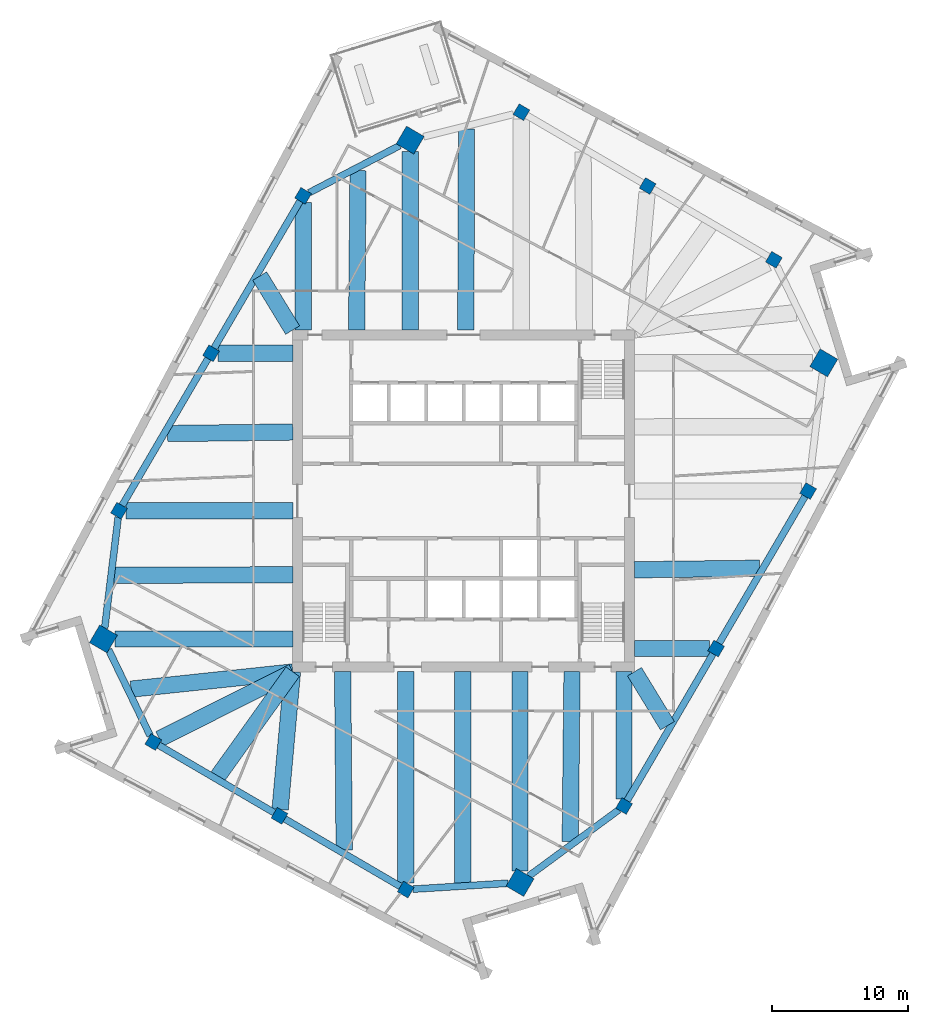
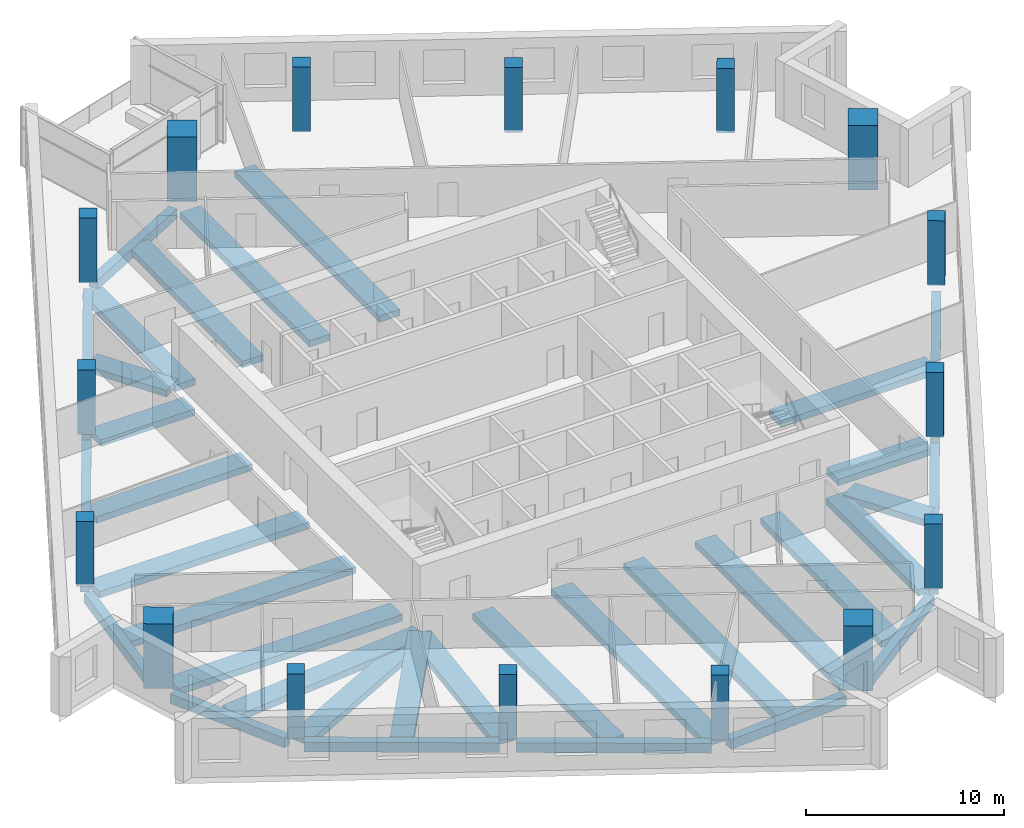
# One storey, part 1 of 13: 34 beams, 16 columns.
"""IFC4 building model written with IfcOpenShell, lengths in metres."""

from ifc_helpers import new_model, si_unit, direction, frame, origin, origin_2d, place, context, subcontext, project, spatial, rectangle, extrude, material, material_profile, profile_set, type_object, element, save


model = new_model("IFC4")

# Units and contexts
model_context = context("Model", 3, precision=1e-05, world=origin(), true_north=direction((0.0, 1.0)))
body_context = subcontext(model_context, "Body", "Model", "MODEL_VIEW")
ifc_project = project(units=[si_unit("LENGTHUNIT", "METRE"), si_unit("AREAUNIT", "SQUARE_METRE"), si_unit("VOLUMEUNIT", "CUBIC_METRE"), si_unit("PLANEANGLEUNIT", "RADIAN"), si_unit("MASSUNIT", "GRAM", prefix="KILO")], contexts=[model_context])

# Site, building, storey
site_placement = place(None, origin())
site = spatial("IfcSite", under=ifc_project, at=site_placement, CompositionType="ELEMENT")
building_placement = place(site_placement, origin())
building = spatial("IfcBuilding", under=site, at=building_placement, Name="Dilmun Exchange Tower", CompositionType="ELEMENT")
storey_placement = place(building_placement, frame((0.0, 0.0, 278.89990234375)))
storey = spatial("IfcBuildingStorey", under=building, at=storey_placement, Name="L66", CompositionType="ELEMENT", Elevation=278.89990234375)

# Columns
ifc_material_1 = material(Name="Concrete C50/60", Category="concrete")
ifc_material_profile_1 = material_profile(ifc_material_1, rectangle(XDim=1.5, YDim=1.5, at=origin_2d()), Name="1500 x 1500")
ifc_profile_set_1 = profile_set([ifc_material_profile_1], Name="Concrete C50/60")
column_type_1 = type_object("IfcColumnType", Name="RC mega column 1500 x 1500 C50/60", PredefinedType="COLUMN", material=ifc_profile_set_1)
for number, where, z_axis, x_axis, name in (
    (1, (-3.9150390625, 26.45703125, 0.0), (0.0, 0.0, 1.0), (0.504643651291, 0.863327739165, 0.0), "Mega column M1"),
    (2, (-26.4150390625, -10.1220703125, 0.0), (0.0, 0.0, 1.0), (0.504643651291, 0.863327739165, 0.0), "Mega column M2"),
    (3, (4.14111328125, -27.98291015625, 0.0), (0.0, 0.0, 1.0), (0.504643651291, 0.863327739165, 0.0), "Mega column M3"),
    (4, (26.4150390625, 10.1220703125, 0.0), (0.0, 0.0, 1.0), (0.504643651291, 0.863327739165, 0.0), "Mega column M4"),
):
    element("IfcColumn", number, at=place(storey_placement, frame(where, z_axis=z_axis, x_axis=x_axis)), inside=storey, type_object=column_type_1, Name=name, PredefinedType="COLUMN", context=body_context, shape_type="SweptSolid", body=[
        extrude(rectangle(XDim=1.5, YDim=1.5, at=origin_2d()), origin(), (0.0, 0.0, 1.0), 4.0),
    ])
ifc_material_profile_2 = material_profile(ifc_material_1, rectangle(XDim=0.89990234375, YDim=0.89990234375, at=origin_2d()), Name="900 x 900")
ifc_profile_set_2 = profile_set([ifc_material_profile_2], Name="Concrete C50/60")
column_type_2 = type_object("IfcColumnType", Name="RC ring column 900 x 900 C50/60", PredefinedType="COLUMN", material=ifc_profile_set_2)
for number, where, z_axis, x_axis, name in (
    (5, (-11.76904296875, 22.3720703125, 0.0), (0.0, 0.0, 1.0), (0.504643651291, 0.863327739165, 0.0), "Ring column R01"),
    (6, (-18.51806640625, 10.824951171875, 0.0), (0.0, 0.0, 1.0), (0.504643651291, 0.863327739165, 0.0), "Ring column R02"),
    (7, (-25.26806640625, -0.721923828125, 0.0), (0.0, 0.0, 1.0), (0.504643651291, 0.863327739165, 0.0), "Ring column R03"),
    (8, (-22.758056640625, -17.681884765625, 0.0), (0.0, 0.0, 1.0), (0.504643651291, 0.863327739165, 0.0), "Ring column R04"),
    (9, (-13.4990234375, -23.093994140625, 0.0), (0.0, 0.0, 1.0), (0.504643651291, 0.863327739165, 0.0), "Ring column R05"),
    (10, (-4.239990234375, -28.506103515625, 0.0), (0.0, 0.0, 1.0), (0.504643651291, 0.863327739165, 0.0), "Ring column R06"),
    (11, (11.76904296875, -22.3720703125, 0.0), (0.0, 0.0, 1.0), (0.504643651291, 0.863327739165, 0.0), "Ring column R07"),
    (12, (18.51806640625, -10.824951171875, 0.0), (0.0, 0.0, 1.0), (0.504643651291, 0.863327739165, 0.0), "Ring column R08"),
    (13, (25.26806640625, 0.721923828125, 0.0), (0.0, 0.0, 1.0), (0.504643651291, 0.863327739165, 0.0), "Ring column R09"),
    (14, (22.758056640625, 17.681884765625, 0.0), (0.0, 0.0, 1.0), (0.504643651291, 0.863327739165, 0.0), "Ring column R10"),
    (15, (13.4990234375, 23.093994140625, 0.0), (0.0, 0.0, 1.0), (0.504643651291, 0.863327739165, 0.0), "Ring column R11"),
    (16, (4.239990234375, 28.506103515625, 0.0), (0.0, 0.0, 1.0), (0.504643651291, 0.863327739165, 0.0), "Ring column R12"),
):
    element("IfcColumn", number, at=place(storey_placement, frame(where, z_axis=z_axis, x_axis=x_axis)), inside=storey, type_object=column_type_2, Name=name, PredefinedType="COLUMN", context=body_context, shape_type="SweptSolid", body=[
        extrude(rectangle(XDim=0.89990234375, YDim=0.89990234375, at=origin_2d()), origin(), (0.0, 0.0, 1.0), 4.0),
    ])

# Beams
ifc_material_2 = material(Name="Concrete C40/50", Category="concrete")
ifc_material_profile_3 = material_profile(ifc_material_2, rectangle(XDim=1.199951171875, YDim=0.39990234375, at=origin_2d()), Name="1200 x 400")
ifc_profile_set_3 = profile_set([ifc_material_profile_3], Name="Concrete C40/50")
beam_type_1 = type_object("IfcBeamType", Name="RC band beam 1200 x 400 C40/50", PredefinedType="BEAM", material=ifc_profile_set_3)
beam_1_placement = place(storey_placement, frame((-3.9150390625, 25.615234375, -0.659912109375), z_axis=(0.0, -1.0, 0.0), x_axis=(1.0, 0.0, 0.0)))
element("IfcBeam", 17, at=beam_1_placement, inside=storey, type_object=beam_type_1, Name="Band beam 1", PredefinedType="BEAM", context=body_context, shape_type="SweptSolid", body=[
    extrude(rectangle(XDim=1.199951171875, YDim=0.39990234375, at=origin_2d()), origin(), (0.0, 0.0, 1.0), 13.09228515625),
])
beam_2_placement = place(storey_placement, frame((-11.76904296875, 21.877685546875, -0.659912109375), z_axis=(0.0, -1.0, 0.0), x_axis=(1.0, 0.0, 0.0)))
element("IfcBeam", 18, at=beam_2_placement, inside=storey, type_object=beam_type_1, Name="Band beam 2", PredefinedType="BEAM", context=body_context, shape_type="SweptSolid", body=[
    extrude(rectangle(XDim=1.199951171875, YDim=0.39990234375, at=origin_2d()), origin(), (0.0, 0.0, 1.0), 9.354736328125),
])
beam_3_placement = place(storey_placement, frame((-18.023681640625, 10.824951171875, -0.659912109375), z_axis=(1.0, 0.0, 0.0), x_axis=(0.0, 1.0, 0.0)))
element("IfcBeam", 19, at=beam_3_placement, inside=storey, type_object=beam_type_1, Name="Band beam 3", PredefinedType="BEAM", context=body_context, shape_type="SweptSolid", body=[
    extrude(rectangle(XDim=1.199951171875, YDim=0.39990234375, at=origin_2d()), origin(), (0.0, 0.0, 1.0), 5.500732421875),
])
beam_4_placement = place(storey_placement, frame((-24.773681640625, -0.721923828125, -0.659912109375), z_axis=(1.0, 0.0, 0.0), x_axis=(0.0, 1.0, 0.0)))
element("IfcBeam", 20, at=beam_4_placement, inside=storey, type_object=beam_type_1, Name="Band beam 4", PredefinedType="BEAM", context=body_context, shape_type="SweptSolid", body=[
    extrude(rectangle(XDim=1.199951171875, YDim=0.39990234375, at=origin_2d()), origin(), (0.0, 0.0, 1.0), 12.250732421875),
])
beam_5_placement = place(storey_placement, frame((-25.5732421875, -10.1220703125, -0.659912109375), z_axis=(1.0, 0.0, 0.0), x_axis=(0.0, 1.0, 0.0)))
element("IfcBeam", 21, at=beam_5_placement, inside=storey, type_object=beam_type_1, Name="Band beam 5", PredefinedType="BEAM", context=body_context, shape_type="SweptSolid", body=[
    extrude(rectangle(XDim=1.199951171875, YDim=0.39990234375, at=origin_2d()), origin(), (0.0, 0.0, 1.0), 13.05029296875),
])
beam_6_placement = place(storey_placement, frame((-22.302734375, -17.453125, -0.659912109375), z_axis=(0.893443377394, 0.449175835716, 0.0), x_axis=(-0.449175835716, 0.893443377394, 0.0)))
element("IfcBeam", 22, at=beam_6_placement, inside=storey, type_object=beam_type_1, Name="Band beam 6", PredefinedType="BEAM", context=body_context, shape_type="SweptSolid", body=[
    extrude(rectangle(XDim=1.199951171875, YDim=0.39990234375, at=origin_2d()), origin(), (0.0, 0.0, 1.0), 10.94287109375),
])
beam_7_placement = place(storey_placement, frame((-13.456787109375, -22.625732421875, -0.659912109375), z_axis=(0.089632924375, 0.995974868593, 0.0), x_axis=(-0.995974868593, 0.089632924375, 0.0)))
element("IfcBeam", 23, at=beam_7_placement, inside=storey, type_object=beam_type_1, Name="Band beam 7", PredefinedType="BEAM", context=body_context, shape_type="SweptSolid", body=[
    extrude(rectangle(XDim=1.199951171875, YDim=0.39990234375, at=origin_2d()), origin(), (0.0, 0.0, 1.0), 10.143310546875),
])
beam_8_placement = place(storey_placement, frame((-4.239990234375, -28.01171875, -0.659912109375), z_axis=(0.0, 1.0, 0.0), x_axis=(-1.0, 0.0, 0.0)))
element("IfcBeam", 24, at=beam_8_placement, inside=storey, type_object=beam_type_1, Name="Band beam 8", PredefinedType="BEAM", context=body_context, shape_type="SweptSolid", body=[
    extrude(rectangle(XDim=1.199951171875, YDim=0.39990234375, at=origin_2d()), origin(), (0.0, 0.0, 1.0), 15.48876953125),
])
beam_9_placement = place(storey_placement, frame((4.14111328125, -27.141357421875, -0.659912109375), z_axis=(0.0, 1.0, 0.0), x_axis=(-1.0, 0.0, 0.0)))
element("IfcBeam", 25, at=beam_9_placement, inside=storey, type_object=beam_type_1, Name="Band beam 9", PredefinedType="BEAM", context=body_context, shape_type="SweptSolid", body=[
    extrude(rectangle(XDim=1.199951171875, YDim=0.39990234375, at=origin_2d()), origin(), (0.0, 0.0, 1.0), 14.618408203125),
])
beam_10_placement = place(storey_placement, frame((11.76904296875, -21.877685546875, -0.659912109375), z_axis=(0.0, 1.0, 0.0), x_axis=(-1.0, 0.0, 0.0)))
element("IfcBeam", 26, at=beam_10_placement, inside=storey, type_object=beam_type_1, Name="Band beam 10", PredefinedType="BEAM", context=body_context, shape_type="SweptSolid", body=[
    extrude(rectangle(XDim=1.199951171875, YDim=0.39990234375, at=origin_2d()), origin(), (0.0, 0.0, 1.0), 9.354736328125),
])
beam_11_placement = place(storey_placement, frame((18.023681640625, -10.824951171875, -0.659912109375), z_axis=(-1.0, 0.0, 0.0), x_axis=(0.0, -1.0, 0.0)))
element("IfcBeam", 27, at=beam_11_placement, inside=storey, type_object=beam_type_1, Name="Band beam 11", PredefinedType="BEAM", context=body_context, shape_type="SweptSolid", body=[
    extrude(rectangle(XDim=1.199951171875, YDim=0.39990234375, at=origin_2d()), origin(), (0.0, 0.0, 1.0), 5.500732421875),
])
beam_12_placement = place(storey_placement, frame((-7.739013671875, 24.216796875, -0.559814453125), z_axis=(-0.008810046818, -0.999961190784, 0.0), x_axis=(0.999961190784, -0.008810046818, 0.0)))
element("IfcBeam", 28, at=beam_12_placement, inside=storey, type_object=beam_type_1, Name="Band beam 17", PredefinedType="BEAM", context=body_context, shape_type="SweptSolid", body=[
    extrude(rectangle(XDim=1.199951171875, YDim=0.39990234375, at=origin_2d()), origin(), (0.0, 0.0, 1.0), 11.6943359375),
])
beam_13_placement = place(storey_placement, frame((-14.950927734375, 16.486083984375, -0.559814453125), z_axis=(0.520868546878, -0.853636899901, 0.0), x_axis=(0.853636899901, 0.520868546878, 0.0)))
element("IfcBeam", 29, at=beam_13_placement, inside=storey, type_object=beam_type_1, Name="Band beam 18", PredefinedType="BEAM", context=body_context, shape_type="SweptSolid", body=[
    extrude(rectangle(XDim=1.199951171875, YDim=0.39990234375, at=origin_2d()), origin(), (0.0, 0.0, 1.0), 4.637451171875),
])
beam_14_placement = place(storey_placement, frame((-21.700439453125, 4.93896484375, -0.559814453125), z_axis=(0.999924810861, 0.01226265164, 0.0), x_axis=(-0.01226265164, 0.999924810861, 0.0)))
element("IfcBeam", 30, at=beam_14_placement, inside=storey, type_object=beam_type_1, Name="Band beam 19", PredefinedType="BEAM", context=body_context, shape_type="SweptSolid", body=[
    extrude(rectangle(XDim=1.199951171875, YDim=0.39990234375, at=origin_2d()), origin(), (0.0, 0.0, 1.0), 9.17822265625),
])
beam_15_placement = place(storey_placement, frame((-25.6201171875, -5.448974609375, -0.559814453125), z_axis=(0.999997897774, 0.002050474756, 0.0), x_axis=(-0.002050474756, 0.999997897774, 0.0)))
element("IfcBeam", 31, at=beam_15_placement, inside=storey, type_object=beam_type_1, Name="Band beam 20", PredefinedType="BEAM", context=body_context, shape_type="SweptSolid", body=[
    extrude(rectangle(XDim=1.199951171875, YDim=0.39990234375, at=origin_2d()), origin(), (0.0, 0.0, 1.0), 13.09716796875),
])
beam_16_placement = place(storey_placement, frame((-24.3857421875, -13.804931640625, -0.559814453125), z_axis=(0.994425543871, 0.105441157505, 0.0), x_axis=(-0.105441157505, 0.994425543871, 0.0)))
element("IfcBeam", 32, at=beam_16_placement, inside=storey, type_object=beam_type_1, Name="Band beam 21", PredefinedType="BEAM", context=body_context, shape_type="SweptSolid", body=[
    extrude(rectangle(XDim=1.199951171875, YDim=0.39990234375, at=origin_2d()), origin(), (0.0, 0.0, 1.0), 11.928955078125),
])
beam_17_placement = place(storey_placement, frame((-18.01611328125, -20.195556640625, -0.559814453125), z_axis=(0.581600762294, 0.81347437163, 0.0), x_axis=(-0.81347437163, 0.581600762294, 0.0)))
element("IfcBeam", 33, at=beam_17_placement, inside=storey, type_object=beam_type_1, Name="Band beam 22", PredefinedType="BEAM", context=body_context, shape_type="SweptSolid", body=[
    extrude(rectangle(XDim=1.199951171875, YDim=0.39990234375, at=origin_2d()), origin(), (0.0, 0.0, 1.0), 9.425537109375),
])
beam_18_placement = place(storey_placement, frame((-8.757080078125, -25.607421875, -0.559814453125), z_axis=(-0.008582734208, 0.999963167658, 0.0), x_axis=(-0.999963167658, -0.008582734208, 0.0)))
element("IfcBeam", 34, at=beam_18_placement, inside=storey, type_object=beam_type_1, Name="Band beam 23", PredefinedType="BEAM", context=body_context, shape_type="SweptSolid", body=[
    extrude(rectangle(XDim=1.199951171875, YDim=0.39990234375, at=origin_2d()), origin(), (0.0, 0.0, 1.0), 13.0849609375),
])
beam_19_placement = place(storey_placement, frame((-0.0634765625, -28.02197265625, -0.559814453125), z_axis=(0.000897863667, 0.99999959692, 0.0), x_axis=(-0.99999959692, 0.000897863667, 0.0)))
element("IfcBeam", 35, at=beam_19_placement, inside=storey, type_object=beam_type_1, Name="Band beam 24", PredefinedType="BEAM", context=body_context, shape_type="SweptSolid", body=[
    extrude(rectangle(XDim=1.199951171875, YDim=0.39990234375, at=origin_2d()), origin(), (0.0, 0.0, 1.0), 15.4990234375),
])
beam_20_placement = place(storey_placement, frame((7.822998046875, -24.997802734375, -0.559814453125), z_axis=(0.010587112348, 0.999943954956, 0.0), x_axis=(-0.999943954956, 0.010587112348, 0.0)))
element("IfcBeam", 36, at=beam_20_placement, inside=storey, type_object=beam_type_1, Name="Band beam 25", PredefinedType="BEAM", context=body_context, shape_type="SweptSolid", body=[
    extrude(rectangle(XDim=1.199951171875, YDim=0.39990234375, at=origin_2d()), origin(), (0.0, 0.0, 1.0), 12.4755859375),
])
beam_21_placement = place(storey_placement, frame((14.950927734375, -16.486083984375, -0.559814453125), z_axis=(-0.520868546878, 0.853636899901, 0.0), x_axis=(-0.853636899901, -0.520868546878, 0.0)))
element("IfcBeam", 37, at=beam_21_placement, inside=storey, type_object=beam_type_1, Name="Band beam 26", PredefinedType="BEAM", context=body_context, shape_type="SweptSolid", body=[
    extrude(rectangle(XDim=1.199951171875, YDim=0.39990234375, at=origin_2d()), origin(), (0.0, 0.0, 1.0), 4.637451171875),
])
beam_22_placement = place(storey_placement, frame((21.700439453125, -4.93896484375, -0.559814453125), z_axis=(-0.999924810861, -0.01226265164, 0.0), x_axis=(0.01226265164, -0.999924810861, 0.0)))
element("IfcBeam", 38, at=beam_22_placement, inside=storey, type_object=beam_type_1, Name="Band beam 27", PredefinedType="BEAM", context=body_context, shape_type="SweptSolid", body=[
    extrude(rectangle(XDim=1.199951171875, YDim=0.39990234375, at=origin_2d()), origin(), (0.0, 0.0, 1.0), 9.17822265625),
])
beam_23_placement = place(storey_placement, frame((0.216796875, 27.26513671875, -0.559814453125), z_axis=(-0.003676445742, -0.999993241851, 0.0), x_axis=(0.999993241851, -0.003676445742, 0.0)))
element("IfcBeam", 39, at=beam_23_placement, inside=storey, type_object=beam_type_1, Name="Band beam 32", PredefinedType="BEAM", context=body_context, shape_type="SweptSolid", body=[
    extrude(rectangle(XDim=1.199951171875, YDim=0.39990234375, at=origin_2d()), origin(), (0.0, 0.0, 1.0), 14.7421875),
])
ifc_material_profile_4 = material_profile(ifc_material_2, rectangle(XDim=0.5, YDim=0.60009765625, at=origin_2d()), Name="500 x 600")
ifc_profile_set_4 = profile_set([ifc_material_profile_4], Name="Concrete C40/50")
beam_type_2 = type_object("IfcBeamType", Name="RC ring beam 500 x 600 C40/50", PredefinedType="SPANDREL", material=ifc_profile_set_4)
beam_24_placement = place(storey_placement, frame((-4.677490234375, 26.060302734375, -0.659912109375), z_axis=(-0.887179966585, -0.461423565599, 0.0), x_axis=(0.461423565599, -0.887179966585, 0.0)))
element("IfcBeam", 40, at=beam_24_placement, inside=storey, type_object=beam_type_2, Name="Ring beam 1", PredefinedType="SPANDREL", context=body_context, shape_type="SweptSolid", body=[
    extrude(rectangle(XDim=0.5, YDim=0.60009765625, at=origin_2d()), origin(), (0.0, 0.0, 1.0), 7.48828125),
])
beam_25_placement = place(storey_placement, frame((-11.982421875, 22.0068359375, -0.659912109375), z_axis=(-0.504603860956, -0.863350996703, 0.0), x_axis=(0.863350996703, -0.504603860956, 0.0)))
element("IfcBeam", 41, at=beam_25_placement, inside=storey, type_object=beam_type_2, Name="Ring beam 2", PredefinedType="SPANDREL", context=body_context, shape_type="SweptSolid", body=[
    extrude(rectangle(XDim=0.5, YDim=0.60009765625, at=origin_2d()), origin(), (0.0, 0.0, 1.0), 12.528564453125),
])
beam_26_placement = place(storey_placement, frame((-18.7314453125, 10.459716796875, -0.659912109375), z_axis=(-0.504670446374, -0.863312075994, 0.0), x_axis=(0.863312075994, -0.504670446374, 0.0)))
element("IfcBeam", 42, at=beam_26_placement, inside=storey, type_object=beam_type_2, Name="Ring beam 3", PredefinedType="SPANDREL", context=body_context, shape_type="SweptSolid", body=[
    extrude(rectangle(XDim=0.5, YDim=0.60009765625, at=origin_2d()), origin(), (0.0, 0.0, 1.0), 12.529052734375),
])
beam_27_placement = place(storey_placement, frame((-25.32421875, -1.181640625, -0.659912109375), z_axis=(-0.121108645076, -0.992639257781, 0.0), x_axis=(0.992639257781, -0.121108645076, 0.0)))
element("IfcBeam", 43, at=beam_27_placement, inside=storey, type_object=beam_type_2, Name="Ring beam 4", PredefinedType="SPANDREL", context=body_context, shape_type="SweptSolid", body=[
    extrude(rectangle(XDim=0.5, YDim=0.60009765625, at=origin_2d()), origin(), (0.0, 0.0, 1.0), 8.216796875),
])
beam_28_placement = place(storey_placement, frame((-26.033447265625, -10.910888671875, -0.659912109375), z_axis=(0.435439794363, -0.900217854458, 0.0), x_axis=(0.900217854458, 0.435439794363, 0.0)))
element("IfcBeam", 44, at=beam_28_placement, inside=storey, type_object=beam_type_2, Name="Ring beam 5", PredefinedType="SPANDREL", context=body_context, shape_type="SweptSolid", body=[
    extrude(rectangle(XDim=0.5, YDim=0.60009765625, at=origin_2d()), origin(), (0.0, 0.0, 1.0), 7.0068359375),
])
beam_29_placement = place(storey_placement, frame((-22.392822265625, -17.8955078125, -0.659912109375), z_axis=(0.863333071594, -0.504634528637, 0.0), x_axis=(0.504634528637, 0.863333071594, 0.0)))
element("IfcBeam", 45, at=beam_29_placement, inside=storey, type_object=beam_type_2, Name="Ring beam 6", PredefinedType="SPANDREL", context=body_context, shape_type="SweptSolid", body=[
    extrude(rectangle(XDim=0.5, YDim=0.60009765625, at=origin_2d()), origin(), (0.0, 0.0, 1.0), 9.878662109375),
])
beam_30_placement = place(storey_placement, frame((-13.1337890625, -23.3076171875, -0.659912109375), z_axis=(0.863343838609, -0.504616107884, 0.0), x_axis=(0.504616107884, 0.863343838609, 0.0)))
element("IfcBeam", 46, at=beam_30_placement, inside=storey, type_object=beam_type_2, Name="Ring beam 7", PredefinedType="SPANDREL", context=body_context, shape_type="SweptSolid", body=[
    extrude(rectangle(XDim=0.5, YDim=0.60009765625, at=origin_2d()), origin(), (0.0, 0.0, 1.0), 9.87841796875),
])
beam_31_placement = place(storey_placement, frame((-3.72607421875, -28.473876953125, -0.659912109375), z_axis=(0.998059216844, 0.062271981443, 0.0), x_axis=(-0.062271981443, 0.998059216844, 0.0)))
element("IfcBeam", 47, at=beam_31_placement, inside=storey, type_object=beam_type_2, Name="Ring beam 8", PredefinedType="SPANDREL", context=body_context, shape_type="SweptSolid", body=[
    extrude(rectangle(XDim=0.5, YDim=0.60009765625, at=origin_2d()), origin(), (0.0, 0.0, 1.0), 7.006103515625),
])
beam_32_placement = place(storey_placement, frame((4.77734375, -27.514892578125, -0.659912109375), z_axis=(0.805549228719, 0.592528851711, 0.0), x_axis=(-0.592528851711, 0.805549228719, 0.0)))
element("IfcBeam", 48, at=beam_32_placement, inside=storey, type_object=beam_type_2, Name="Ring beam 9", PredefinedType="SPANDREL", context=body_context, shape_type="SweptSolid", body=[
    extrude(rectangle(XDim=0.5, YDim=0.60009765625, at=origin_2d()), origin(), (0.0, 0.0, 1.0), 8.21630859375),
])
beam_33_placement = place(storey_placement, frame((11.982421875, -22.0068359375, -0.659912109375), z_axis=(0.504603860956, 0.863350996703, 0.0), x_axis=(-0.863350996703, 0.504603860956, 0.0)))
element("IfcBeam", 49, at=beam_33_placement, inside=storey, type_object=beam_type_2, Name="Ring beam 10", PredefinedType="SPANDREL", context=body_context, shape_type="SweptSolid", body=[
    extrude(rectangle(XDim=0.5, YDim=0.60009765625, at=origin_2d()), origin(), (0.0, 0.0, 1.0), 12.528564453125),
])
beam_34_placement = place(storey_placement, frame((18.7314453125, -10.459716796875, -0.659912109375), z_axis=(0.504670446374, 0.863312075994, 0.0), x_axis=(-0.863312075994, 0.504670446374, 0.0)))
element("IfcBeam", 50, at=beam_34_placement, inside=storey, type_object=beam_type_2, Name="Ring beam 11", PredefinedType="SPANDREL", context=body_context, shape_type="SweptSolid", body=[
    extrude(rectangle(XDim=0.5, YDim=0.60009765625, at=origin_2d()), origin(), (0.0, 0.0, 1.0), 12.529052734375),
])

save(model, "model.ifc")
